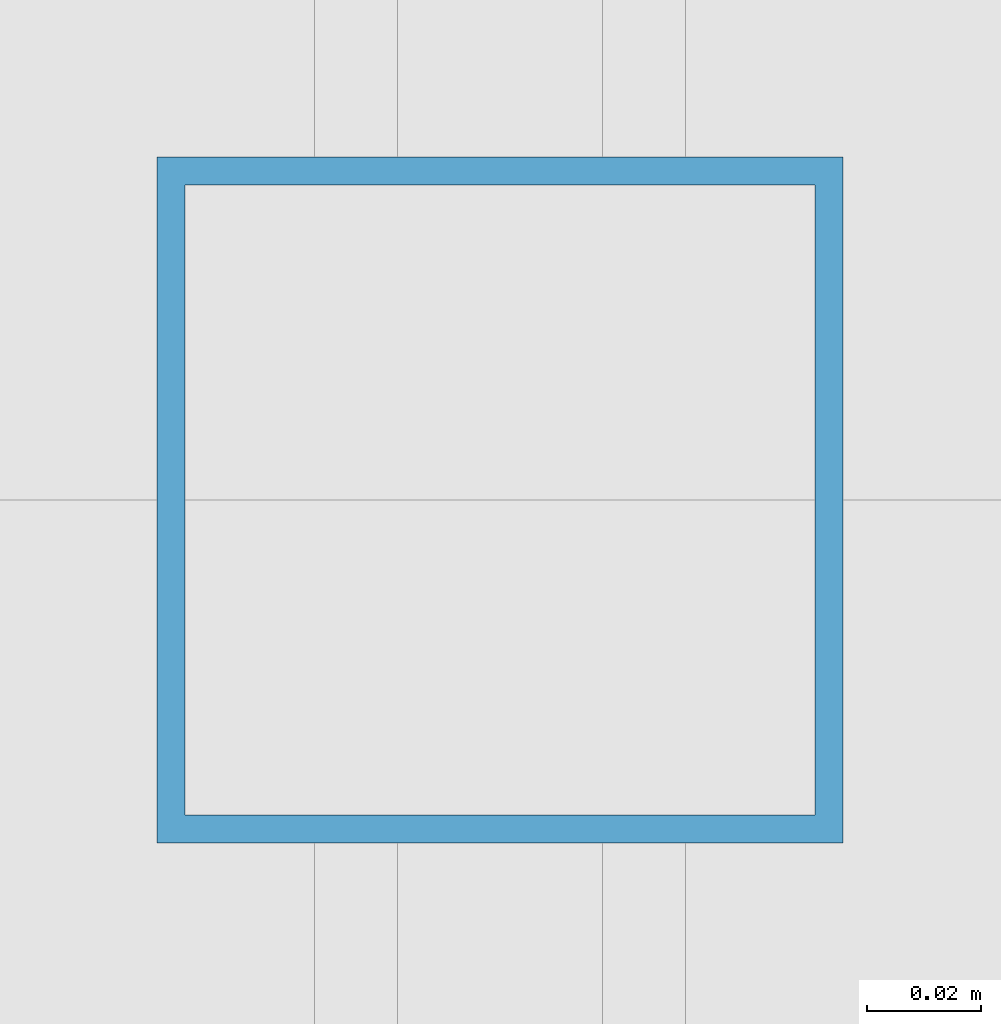
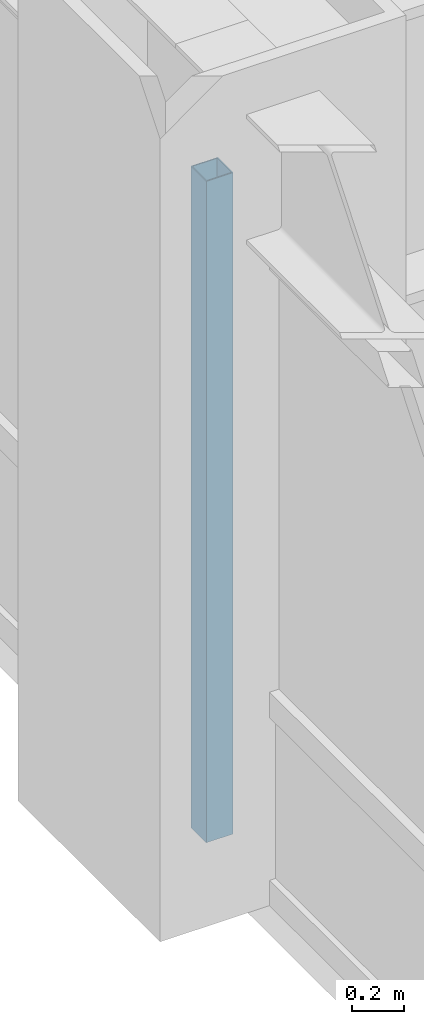
# One storey, part 6 of 26: 1 member, 1 element without a shape of its own.
"""IFC4 building model written with IfcOpenShell, lengths in metres."""

from ifc_helpers import new_model, si_unit, direction, frame, origin, origin_2d, place, context, subcontext, project, spatial, hollow_rectangle, extrude, source, transform, mapped, material, material_profile, profile_set, type_object, element, aggregate, save


model = new_model("IFC4")

# Units and contexts
model_context = context("Model", 3, precision=1e-05, world=origin(), true_north=direction((0.0, 1.0)))
body_context = subcontext(model_context, "Body", "Model", "MODEL_VIEW")
ifc_project = project(units=[si_unit("LENGTHUNIT", "METRE"), si_unit("AREAUNIT", "SQUARE_METRE"), si_unit("VOLUMEUNIT", "CUBIC_METRE"), si_unit("PLANEANGLEUNIT", "RADIAN"), si_unit("MASSUNIT", "GRAM", prefix="KILO")], contexts=[model_context])

# Site, building, storey
site_placement = place(None, origin())
site = spatial("IfcSite", under=ifc_project, at=site_placement, CompositionType="ELEMENT")
building_placement = place(site_placement, origin())
building = spatial("IfcBuilding", under=site, at=building_placement, Name="Khorayat Bourse Tower", CompositionType="ELEMENT")
storey_placement = place(building_placement, frame((0.0, 0.0, 207.10009765625)))
storey = spatial("IfcBuildingStorey", under=building, at=storey_placement, Name="L48", CompositionType="ELEMENT", Elevation=207.10009765625)

# Curtain wall, member
ifc_material = material(Name="Aluminium EN AW-6063 T6", Category="aluminium")
curtain_wall_type = type_object("IfcCurtainWallType", Name="CW-SYS-03", PredefinedType="NOTDEFINED", material=ifc_material)
curtain_wall_placement = place(storey_placement, origin())
curtain_wall = element("IfcCurtainWall", 1, at=curtain_wall_placement, inside=storey, type_object=curtain_wall_type, Name="L48 Curtain Wall CW-L48-W1", PredefinedType="NOTDEFINED")
ifc_material_profile = material_profile(ifc_material, hollow_rectangle(XDim=0.1201171875, YDim=0.1201171875, WallThickness=0.0048828125, at=origin_2d()), Name="ALU 120x120x5")
ifc_profile_set = profile_set([ifc_material_profile], Name="Aluminium EN AW-6063 T6")
member_type = type_object("IfcMemberType", Name="CWM-VERT-120", PredefinedType="MULLION", material=ifc_profile_set)
shared_shape = source(origin(), body_context, "Body", "SweptSolid", [
    extrude(hollow_rectangle(XDim=0.1201171875, YDim=0.1201171875, WallThickness=0.0048828125, at=origin_2d()), origin(), (0.0, 0.0, 1.0), 3.1298828125),
])
member_placement = place(storey_placement, frame((-30.0, 0.0, 0.0), z_axis=(0.0, 0.0, 1.0), x_axis=(-1.0, 0.0, 0.0)))
member = element("IfcMember", 2, at=member_placement, type_object=member_type, Name="CW-L48-W1 Vertical Mullion 2", PredefinedType="MULLION", context=body_context, shape_type="MappedRepresentation", body=[
    mapped(shared_shape, transform((0.0, 0.0, 0.0), scale=1.0)),
])
aggregate(curtain_wall, [member])

save(model, "model.ifc")
